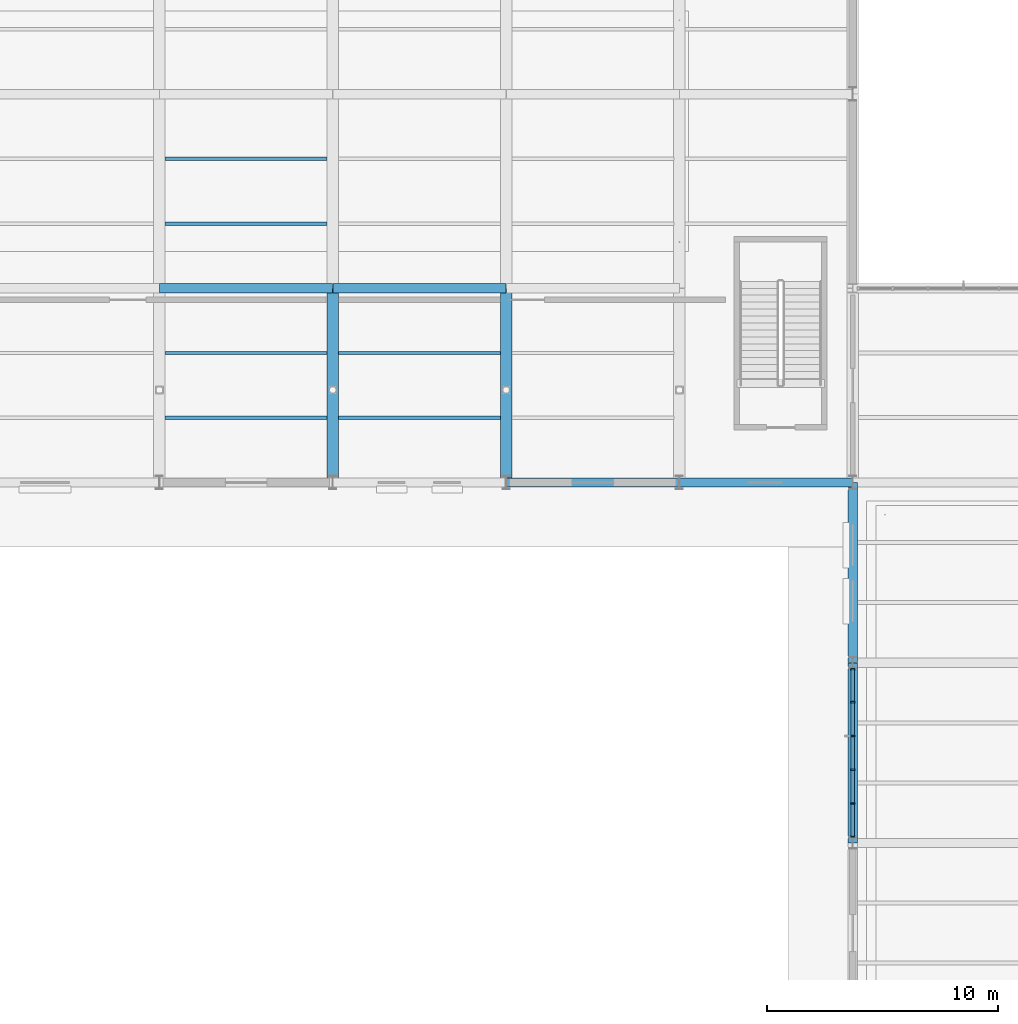
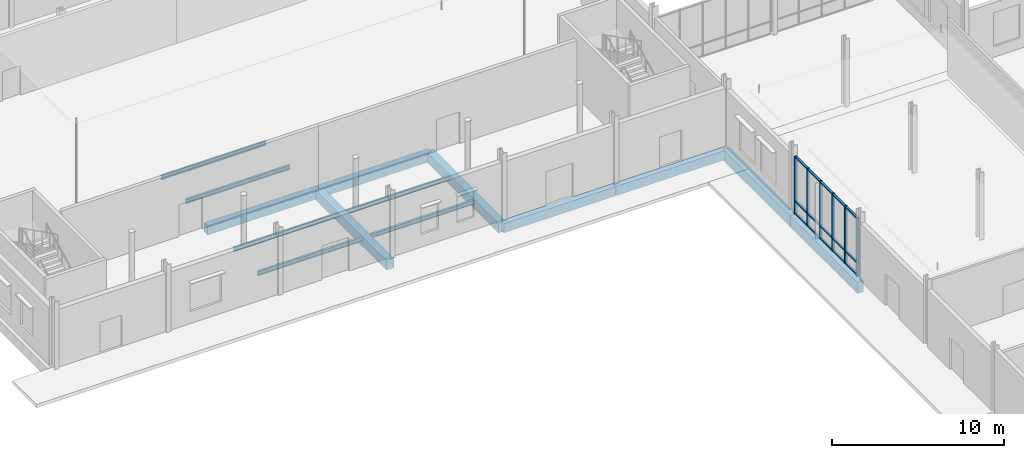
# One storey, part 29 of 82: 21 members, 14 beams, 1 element without a shape of its own.
"""IFC4 building model written with IfcOpenShell, lengths in metres."""

from ifc_helpers import new_model, si_unit, direction, frame, origin, origin_2d, place, context, subcontext, project, spatial, rectangle, i_section, extrude, material, layer, layer_set, material_profile, profile_set, type_object, element, aggregate, save


model = new_model("IFC4")

# Units and contexts
model_context = context("Model", 3, precision=1e-05, world=origin(), true_north=direction((0.0, 1.0)))
body_context = subcontext(model_context, "Body", "Model", "MODEL_VIEW")
ifc_project = project(units=[si_unit("LENGTHUNIT", "METRE"), si_unit("AREAUNIT", "SQUARE_METRE"), si_unit("VOLUMEUNIT", "CUBIC_METRE"), si_unit("PLANEANGLEUNIT", "RADIAN"), si_unit("MASSUNIT", "GRAM", prefix="KILO")], contexts=[model_context])

# Site, building, storey
site_placement = place(None, origin())
site = spatial("IfcSite", under=ifc_project, at=site_placement, CompositionType="ELEMENT")
building_placement = place(site_placement, origin())
building = spatial("IfcBuilding", under=site, at=building_placement, Name="Yukiwa Park Conservatory and Herbarium", CompositionType="ELEMENT")
storey_placement = place(building_placement, origin())
storey = spatial("IfcBuildingStorey", under=building, at=storey_placement, Name="L00", CompositionType="ELEMENT", Elevation=0.0)

# Beams
ifc_material_1 = material(Name="Steel Q355D", Category="steel")
ifc_material_profile_1 = material_profile(ifc_material_1, i_section(OverallWidth=0.14892578125, OverallDepth=0.298095703125, WebThickness=0.005615234375, FlangeThickness=0.008056640625, FilletRadius=0.012939453125, at=origin_2d()), Name="HN 298x149x5.5x8")
ifc_profile_set_1 = profile_set([ifc_material_profile_1], Name="Steel Q355D")
beam_type_1 = type_object("IfcBeamType", Name="BM-JST-HN298", PredefinedType="JOIST", material=ifc_profile_set_1)
for number, where, z_axis, x_axis, name in (
    (1, (30.24609375, 80.800048828125, -0.408935546875), (1.0, 0.0, 0.0), (0.0, 1.0, 0.0), "L00 composite floor joist 45"),
    (2, (30.24609375, 83.60009765625, -0.408935546875), (1.0, 0.0, 0.0), (0.0, 1.0, 0.0), "L00 composite floor joist 46"),
    (3, (30.24609375, 89.199951171875, -0.408935546875), (1.0, 0.0, 0.0), (0.0, 1.0, 0.0), "L00 composite floor joist 47"),
    (4, (30.24609375, 92.0, -0.408935546875), (1.0, 0.0, 0.0), (0.0, 1.0, 0.0), "L00 composite floor joist 48"),
    (5, (37.74609375, 80.800048828125, -0.408935546875), (1.0, 0.0, 0.0), (0.0, 1.0, 0.0), "L00 composite floor joist 59"),
    (6, (37.74609375, 83.60009765625, -0.408935546875), (1.0, 0.0, 0.0), (0.0, 1.0, 0.0), "L00 composite floor joist 60"),
):
    element("IfcBeam", number, at=place(storey_placement, frame(where, z_axis=z_axis, x_axis=x_axis)), inside=storey, type_object=beam_type_1, Name=name, PredefinedType="JOIST", context=body_context, shape_type="SweptSolid", body=[
        extrude(i_section(OverallWidth=0.14892578125, OverallDepth=0.298095703125, WebThickness=0.005615234375, FlangeThickness=0.008056640625, FilletRadius=0.012939453125, at=origin_2d()), origin(), (0.0, 0.0, 1.0), 7.0078125),
    ])
ifc_material_2 = material(Name="Concrete C40", Category="concrete")
ifc_material_profile_2 = material_profile(ifc_material_2, rectangle(XDim=0.39990234375, YDim=0.64990234375, at=origin_2d()), Name="RC 400x650")
ifc_profile_set_2 = profile_set([ifc_material_profile_2], Name="Concrete C40")
beam_type_2 = type_object("IfcBeamType", Name="BM-RC-400X650", PredefinedType="BEAM", material=ifc_profile_set_2)
for number, where, z_axis, x_axis, name in (
    (7, (45.006103515625, 78.0, -0.5849609375), (1.0, 0.0, 0.0), (0.0, 1.0, 0.0), "L00 grid beam X-90"),
    (8, (52.506103515625, 78.0, -0.5849609375), (1.0, 0.0, 0.0), (0.0, 1.0, 0.0), "L00 grid beam X-91"),
    (9, (30.006103515625, 86.39990234375, -0.5849609375), (1.0, 0.0, 0.0), (0.0, 1.0, 0.0), "L00 grid beam X-106"),
    (10, (37.506103515625, 86.39990234375, -0.5849609375), (1.0, 0.0, 0.0), (0.0, 1.0, 0.0), "L00 grid beam X-107"),
):
    element("IfcBeam", number, at=place(storey_placement, frame(where, z_axis=z_axis, x_axis=x_axis)), inside=storey, type_object=beam_type_2, Name=name, PredefinedType="BEAM", context=body_context, shape_type="SweptSolid", body=[
        extrude(rectangle(XDim=0.39990234375, YDim=0.64990234375, at=origin_2d()), origin(), (0.0, 0.0, 1.0), 7.48779296875),
    ])
ifc_material_3 = material(Name="Concrete C40", Category="concrete")
ifc_material_profile_3 = material_profile(ifc_material_3, rectangle(XDim=0.39990234375, YDim=0.800048828125, at=origin_2d()), Name="RC 400x800")
ifc_profile_set_3 = profile_set([ifc_material_profile_3], Name="Concrete C40")
beam_type_3 = type_object("IfcBeamType", Name="BM-RC-400X800", PredefinedType="BEAM", material=ifc_profile_set_3)
beam_1_placement = place(storey_placement, frame((60.0, 62.406005859375, -0.659912109375), z_axis=(0.0, 1.0, 0.0), x_axis=(-1.0, 0.0, 0.0)))
element("IfcBeam", 11, at=beam_1_placement, inside=storey, type_object=beam_type_3, Name="L00 grid girder Y-215", PredefinedType="BEAM", context=body_context, shape_type="SweptSolid", body=[
    extrude(rectangle(XDim=0.39990234375, YDim=0.800048828125, at=origin_2d()), origin(), (0.0, 0.0, 1.0), 7.7880859375),
])
beam_2_placement = place(storey_placement, frame((60.0, 70.2060546875, -0.659912109375), z_axis=(0.0, 1.0, 0.0), x_axis=(-1.0, 0.0, 0.0)))
element("IfcBeam", 12, at=beam_2_placement, inside=storey, type_object=beam_type_3, Name="L00 grid girder Y-216", PredefinedType="BEAM", context=body_context, shape_type="SweptSolid", body=[
    extrude(rectangle(XDim=0.39990234375, YDim=0.800048828125, at=origin_2d()), origin(), (0.0, 0.0, 1.0), 7.787841796875),
])
ifc_material_4 = material(Name="Concrete C40", Category="concrete")
ifc_material_profile_4 = material_profile(ifc_material_4, rectangle(XDim=0.5, YDim=0.699951171875, at=origin_2d()), Name="RC 500x700")
ifc_profile_set_4 = profile_set([ifc_material_profile_4], Name="Concrete C40")
beam_type_4 = type_object("IfcBeamType", Name="BM-RC-500X700", PredefinedType="BEAM", material=ifc_profile_set_4)
for number, where, z_axis, x_axis, name in (
    (13, (37.5, 78.006103515625, -0.610107421875), (0.0, 1.0, 0.0), (-1.0, 0.0, 0.0), "L00 grid girder Y-189"),
    (14, (45.0, 78.006103515625, -0.610107421875), (0.0, 1.0, 0.0), (-1.0, 0.0, 0.0), "L00 grid girder Y-197"),
):
    element("IfcBeam", number, at=place(storey_placement, frame(where, z_axis=z_axis, x_axis=x_axis)), inside=storey, type_object=beam_type_4, Name=name, PredefinedType="BEAM", context=body_context, shape_type="SweptSolid", body=[
        extrude(rectangle(XDim=0.5, YDim=0.699951171875, at=origin_2d()), origin(), (0.0, 0.0, 1.0), 8.387939453125),
    ])

# Curtain wall, members
ifc_material_5 = material(Name="Triple Low-E Insulated Glass", Category="glass")
ifc_layer = layer(ifc_material_5, 0.199951171875)
ifc_layer_set = layer_set([ifc_layer], Name="Triple Low-E Insulated Glass")
curtain_wall_type = type_object("IfcCurtainWallType", Name="CW-VISITOR-1600", PredefinedType="NOTDEFINED", material=ifc_layer_set)
curtain_wall_placement = place(storey_placement, origin())
curtain_wall = element("IfcCurtainWall", 15, at=curtain_wall_placement, inside=storey, type_object=curtain_wall_type, Name="L00 unitised curtain wall CW-L00-017", PredefinedType="NOTDEFINED")
ifc_material_6 = material(Name="Anodised Aluminium", Category="aluminium")
member_type_1 = type_object("IfcMemberType", Name="MB-CW-MUL-80X180", PredefinedType="MULLION", material=ifc_material_6)
member_1_placement = place(storey_placement, frame((60.0, 69.916015625, 0.0), z_axis=(0.0, 0.0, 1.0), x_axis=(0.0, -1.0, 0.0)))
member_1 = element("IfcMember", 16, at=member_1_placement, type_object=member_type_1, Name="CW-L00-017 mullion 1", PredefinedType="MULLION", context=body_context, shape_type="SweptSolid", body=[
    extrude(rectangle(XDim=0.080078125, YDim=0.179931640625, at=origin_2d()), origin(), (0.0, 0.0, 1.0), 4.06591796875),
])
member_2_placement = place(storey_placement, frame((60.0, 68.49365234375, 0.0), z_axis=(0.0, 0.0, 1.0), x_axis=(0.0, -1.0, 0.0)))
member_2 = element("IfcMember", 17, at=member_2_placement, type_object=member_type_1, Name="CW-L00-017 mullion 2", PredefinedType="MULLION", context=body_context, shape_type="SweptSolid", body=[
    extrude(rectangle(XDim=0.080078125, YDim=0.179931640625, at=origin_2d()), origin(), (0.0, 0.0, 1.0), 4.06591796875),
])
member_3_placement = place(storey_placement, frame((60.0, 67.03125, 0.0), z_axis=(0.0, 0.0, 1.0), x_axis=(0.0, -1.0, 0.0)))
member_3 = element("IfcMember", 18, at=member_3_placement, type_object=member_type_1, Name="CW-L00-017 mullion 3", PredefinedType="MULLION", context=body_context, shape_type="SweptSolid", body=[
    extrude(rectangle(XDim=0.080078125, YDim=0.179931640625, at=origin_2d()), origin(), (0.0, 0.0, 1.0), 4.06591796875),
])
member_4_placement = place(storey_placement, frame((60.0, 65.56884765625, 0.0), z_axis=(0.0, 0.0, 1.0), x_axis=(0.0, -1.0, 0.0)))
member_4 = element("IfcMember", 19, at=member_4_placement, type_object=member_type_1, Name="CW-L00-017 mullion 4", PredefinedType="MULLION", context=body_context, shape_type="SweptSolid", body=[
    extrude(rectangle(XDim=0.080078125, YDim=0.179931640625, at=origin_2d()), origin(), (0.0, 0.0, 1.0), 4.06591796875),
])
member_5_placement = place(storey_placement, frame((60.0, 64.1064453125, 0.0), z_axis=(0.0, 0.0, 1.0), x_axis=(0.0, -1.0, 0.0)))
member_5 = element("IfcMember", 20, at=member_5_placement, type_object=member_type_1, Name="CW-L00-017 mullion 5", PredefinedType="MULLION", context=body_context, shape_type="SweptSolid", body=[
    extrude(rectangle(XDim=0.080078125, YDim=0.179931640625, at=origin_2d()), origin(), (0.0, 0.0, 1.0), 4.06591796875),
])
member_6_placement = place(storey_placement, frame((60.0, 62.68408203125, 0.0), z_axis=(0.0, 0.0, 1.0), x_axis=(0.0, -1.0, 0.0)))
member_6 = element("IfcMember", 21, at=member_6_placement, type_object=member_type_1, Name="CW-L00-017 mullion 6", PredefinedType="MULLION", context=body_context, shape_type="SweptSolid", body=[
    extrude(rectangle(XDim=0.080078125, YDim=0.179931640625, at=origin_2d()), origin(), (0.0, 0.0, 1.0), 4.06591796875),
])
ifc_material_7 = material(Name="Anodised Aluminium", Category="aluminium")
member_type_2 = type_object("IfcMemberType", Name="MB-CW-TRN-80X150", PredefinedType="USERDEFINED", material=ifc_material_7)
member_7_placement = place(storey_placement, frame((60.0, 69.224853515625, 0.0), z_axis=(0.0, 0.0, 1.0), x_axis=(0.0, -1.0, 0.0)))
member_7 = element("IfcMember", 22, at=member_7_placement, type_object=member_type_2, Name="CW-L00-017 transom 1.1", ObjectType="TRANSOM", PredefinedType="USERDEFINED", context=body_context, shape_type="SweptSolid", body=[
    extrude(rectangle(XDim=1.38232421875, YDim=0.14990234375, at=origin_2d()), origin(), (0.0, 0.0, 1.0), 0.080078125),
])
member_8_placement = place(storey_placement, frame((60.0, 69.224853515625, 0.85986328125), z_axis=(0.0, 0.0, 1.0), x_axis=(0.0, -1.0, 0.0)))
member_8 = element("IfcMember", 23, at=member_8_placement, type_object=member_type_2, Name="CW-L00-017 transom 1.2", ObjectType="TRANSOM", PredefinedType="USERDEFINED", context=body_context, shape_type="SweptSolid", body=[
    extrude(rectangle(XDim=1.38232421875, YDim=0.14990234375, at=origin_2d()), origin(), (0.0, 0.0, 1.0), 0.080078125),
])
member_9_placement = place(storey_placement, frame((60.0, 69.224853515625, 3.98583984375), z_axis=(0.0, 0.0, 1.0), x_axis=(0.0, -1.0, 0.0)))
member_9 = element("IfcMember", 24, at=member_9_placement, type_object=member_type_2, Name="CW-L00-017 transom 1.3", ObjectType="TRANSOM", PredefinedType="USERDEFINED", context=body_context, shape_type="SweptSolid", body=[
    extrude(rectangle(XDim=1.38232421875, YDim=0.14990234375, at=origin_2d()), origin(), (0.0, 0.0, 1.0), 0.080078125),
])
member_10_placement = place(storey_placement, frame((60.0, 67.762451171875, 0.0), z_axis=(0.0, 0.0, 1.0), x_axis=(0.0, -1.0, 0.0)))
member_10 = element("IfcMember", 25, at=member_10_placement, type_object=member_type_2, Name="CW-L00-017 transom 2.1", ObjectType="TRANSOM", PredefinedType="USERDEFINED", context=body_context, shape_type="SweptSolid", body=[
    extrude(rectangle(XDim=1.38232421875, YDim=0.14990234375, at=origin_2d()), origin(), (0.0, 0.0, 1.0), 0.080078125),
])
member_11_placement = place(storey_placement, frame((60.0, 67.762451171875, 0.85986328125), z_axis=(0.0, 0.0, 1.0), x_axis=(0.0, -1.0, 0.0)))
member_11 = element("IfcMember", 26, at=member_11_placement, type_object=member_type_2, Name="CW-L00-017 transom 2.2", ObjectType="TRANSOM", PredefinedType="USERDEFINED", context=body_context, shape_type="SweptSolid", body=[
    extrude(rectangle(XDim=1.38232421875, YDim=0.14990234375, at=origin_2d()), origin(), (0.0, 0.0, 1.0), 0.080078125),
])
member_12_placement = place(storey_placement, frame((60.0, 67.762451171875, 3.98583984375), z_axis=(0.0, 0.0, 1.0), x_axis=(0.0, -1.0, 0.0)))
member_12 = element("IfcMember", 27, at=member_12_placement, type_object=member_type_2, Name="CW-L00-017 transom 2.3", ObjectType="TRANSOM", PredefinedType="USERDEFINED", context=body_context, shape_type="SweptSolid", body=[
    extrude(rectangle(XDim=1.38232421875, YDim=0.14990234375, at=origin_2d()), origin(), (0.0, 0.0, 1.0), 0.080078125),
])
member_13_placement = place(storey_placement, frame((60.0, 66.300048828125, 0.0), z_axis=(0.0, 0.0, 1.0), x_axis=(0.0, -1.0, 0.0)))
member_13 = element("IfcMember", 28, at=member_13_placement, type_object=member_type_2, Name="CW-L00-017 transom 3.1", ObjectType="TRANSOM", PredefinedType="USERDEFINED", context=body_context, shape_type="SweptSolid", body=[
    extrude(rectangle(XDim=1.38232421875, YDim=0.14990234375, at=origin_2d()), origin(), (0.0, 0.0, 1.0), 0.080078125),
])
member_14_placement = place(storey_placement, frame((60.0, 66.300048828125, 0.85986328125), z_axis=(0.0, 0.0, 1.0), x_axis=(0.0, -1.0, 0.0)))
member_14 = element("IfcMember", 29, at=member_14_placement, type_object=member_type_2, Name="CW-L00-017 transom 3.2", ObjectType="TRANSOM", PredefinedType="USERDEFINED", context=body_context, shape_type="SweptSolid", body=[
    extrude(rectangle(XDim=1.38232421875, YDim=0.14990234375, at=origin_2d()), origin(), (0.0, 0.0, 1.0), 0.080078125),
])
member_15_placement = place(storey_placement, frame((60.0, 66.300048828125, 3.98583984375), z_axis=(0.0, 0.0, 1.0), x_axis=(0.0, -1.0, 0.0)))
member_15 = element("IfcMember", 30, at=member_15_placement, type_object=member_type_2, Name="CW-L00-017 transom 3.3", ObjectType="TRANSOM", PredefinedType="USERDEFINED", context=body_context, shape_type="SweptSolid", body=[
    extrude(rectangle(XDim=1.38232421875, YDim=0.14990234375, at=origin_2d()), origin(), (0.0, 0.0, 1.0), 0.080078125),
])
member_16_placement = place(storey_placement, frame((60.0, 64.837646484375, 0.0), z_axis=(0.0, 0.0, 1.0), x_axis=(0.0, -1.0, 0.0)))
member_16 = element("IfcMember", 31, at=member_16_placement, type_object=member_type_2, Name="CW-L00-017 transom 4.1", ObjectType="TRANSOM", PredefinedType="USERDEFINED", context=body_context, shape_type="SweptSolid", body=[
    extrude(rectangle(XDim=1.38232421875, YDim=0.14990234375, at=origin_2d()), origin(), (0.0, 0.0, 1.0), 0.080078125),
])
member_17_placement = place(storey_placement, frame((60.0, 64.837646484375, 0.85986328125), z_axis=(0.0, 0.0, 1.0), x_axis=(0.0, -1.0, 0.0)))
member_17 = element("IfcMember", 32, at=member_17_placement, type_object=member_type_2, Name="CW-L00-017 transom 4.2", ObjectType="TRANSOM", PredefinedType="USERDEFINED", context=body_context, shape_type="SweptSolid", body=[
    extrude(rectangle(XDim=1.38232421875, YDim=0.14990234375, at=origin_2d()), origin(), (0.0, 0.0, 1.0), 0.080078125),
])
member_18_placement = place(storey_placement, frame((60.0, 64.837646484375, 3.98583984375), z_axis=(0.0, 0.0, 1.0), x_axis=(0.0, -1.0, 0.0)))
member_18 = element("IfcMember", 33, at=member_18_placement, type_object=member_type_2, Name="CW-L00-017 transom 4.3", ObjectType="TRANSOM", PredefinedType="USERDEFINED", context=body_context, shape_type="SweptSolid", body=[
    extrude(rectangle(XDim=1.38232421875, YDim=0.14990234375, at=origin_2d()), origin(), (0.0, 0.0, 1.0), 0.080078125),
])
member_19_placement = place(storey_placement, frame((60.0, 63.375244140625, 0.0), z_axis=(0.0, 0.0, 1.0), x_axis=(0.0, -1.0, 0.0)))
member_19 = element("IfcMember", 34, at=member_19_placement, type_object=member_type_2, Name="CW-L00-017 transom 5.1", ObjectType="TRANSOM", PredefinedType="USERDEFINED", context=body_context, shape_type="SweptSolid", body=[
    extrude(rectangle(XDim=1.38232421875, YDim=0.14990234375, at=origin_2d()), origin(), (0.0, 0.0, 1.0), 0.080078125),
])
member_20_placement = place(storey_placement, frame((60.0, 63.375244140625, 0.85986328125), z_axis=(0.0, 0.0, 1.0), x_axis=(0.0, -1.0, 0.0)))
member_20 = element("IfcMember", 35, at=member_20_placement, type_object=member_type_2, Name="CW-L00-017 transom 5.2", ObjectType="TRANSOM", PredefinedType="USERDEFINED", context=body_context, shape_type="SweptSolid", body=[
    extrude(rectangle(XDim=1.38232421875, YDim=0.14990234375, at=origin_2d()), origin(), (0.0, 0.0, 1.0), 0.080078125),
])
member_21_placement = place(storey_placement, frame((60.0, 63.375244140625, 3.98583984375), z_axis=(0.0, 0.0, 1.0), x_axis=(0.0, -1.0, 0.0)))
member_21 = element("IfcMember", 36, at=member_21_placement, type_object=member_type_2, Name="CW-L00-017 transom 5.3", ObjectType="TRANSOM", PredefinedType="USERDEFINED", context=body_context, shape_type="SweptSolid", body=[
    extrude(rectangle(XDim=1.38232421875, YDim=0.14990234375, at=origin_2d()), origin(), (0.0, 0.0, 1.0), 0.080078125),
])
aggregate(curtain_wall, [member_1, member_2, member_3, member_4, member_5, member_6, member_7, member_8, member_9, member_10, member_11, member_12, member_13, member_14, member_15, member_16, member_17, member_18, member_19, member_20, member_21])

save(model, "model.ifc")
